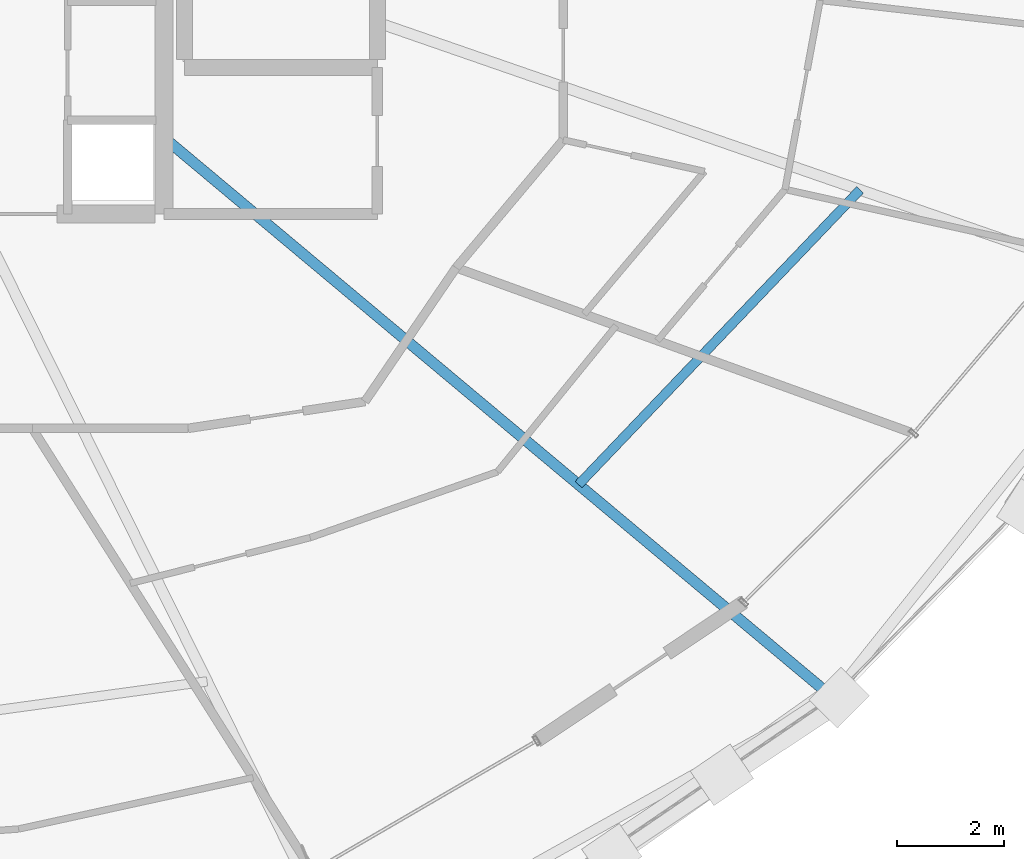
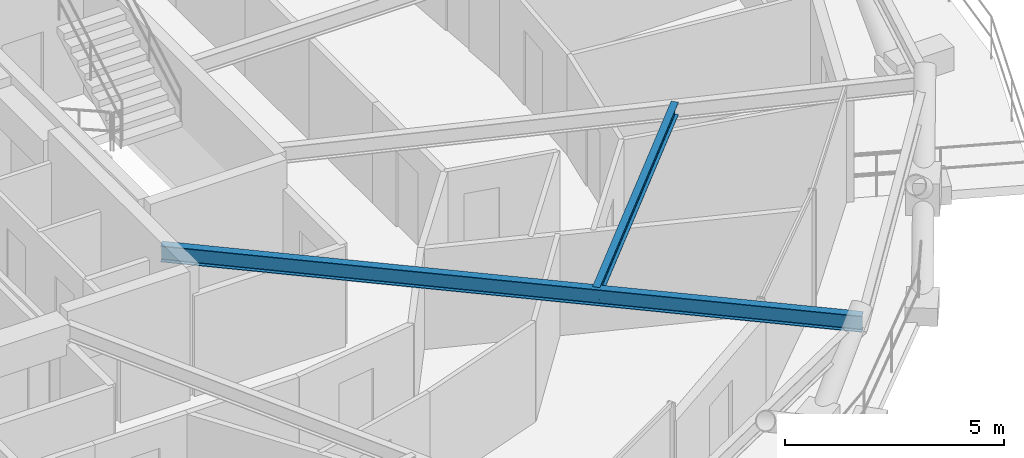
# One storey, part 6 of 16: 2 beams.
"""IFC4 building model written with IfcOpenShell, lengths in metres."""

import ifcopenshell
import ifcopenshell.guid

model = None  # the IFC model being written
_history = None  # IfcOwnerHistory: only IFC2X3 demands one
_inside = {}  # id of a spatial element -> (the spatial element, [elements in it])
_under = {}  # id of a project, library or spatial element -> (it, [spatial elements below it])
_declared = {}  # id of a project -> (the project, [libraries it declares])
_typed = {}  # id of a type object -> (the type object, [elements of that type])
_made_of = {}  # id of a material, layer set ... -> (it, [elements and type objects made of it])


def new_model(schema):
    """Start an empty IFC model of exactly this schema.

    Asked for "IFC4X3", IfcOpenShell would pick the latest addendum, in which some entities
    have other attributes; the version numbers below select the first issue.
    IFC2X3 requires an IfcOwnerHistory on every rooted entity: one is made here for all.
    """
    global model, _history
    if schema == "IFC4X3":
        model = ifcopenshell.file(schema_version=(4, 3, 0, 0))
    else:
        model = ifcopenshell.file(schema=schema)
    _inside.clear()
    _under.clear()
    _declared.clear()
    _typed.clear()
    _made_of.clear()
    _history = None
    if model.schema == "IFC2X3":
        org = make("IfcOrganization", Name="unknown")
        user = make(
            "IfcPersonAndOrganization",
            ThePerson=make("IfcPerson", FamilyName="unknown"),
            TheOrganization=org,
        )
        app = make(
            "IfcApplication",
            ApplicationDeveloper=org,
            Version="unknown",
            ApplicationFullName="unknown",
            ApplicationIdentifier="unknown",
        )
        _history = make(
            "IfcOwnerHistory",
            OwningUser=user,
            OwningApplication=app,
            ChangeAction="ADDED",
            CreationDate=0,
        )
    return model


def make(cls, **values):
    """One entity of the class cls with the attributes given. An attribute that is None is left unset."""
    return model.create_entity(
        cls, **{name: value for name, value in values.items() if value is not None}
    )


def rooted(cls, **values):
    """An entity with a GlobalId (a new one), such as an element, a storey or a relation."""
    return make(cls, GlobalId=ifcopenshell.guid.new(), OwnerHistory=_history, **values)


def si_unit(unit_type, name, prefix=None):
    """IfcSIUnit, for example si_unit("LENGTHUNIT", "METRE", prefix="MILLI")."""
    return make("IfcSIUnit", UnitType=unit_type, Prefix=prefix, Name=name)


def assignment(units):
    """IfcUnitAssignment: the units of a project."""
    return None if units is None else make("IfcUnitAssignment", Units=units)


def point(xyz):
    """IfcCartesianPoint."""
    return None if xyz is None else make("IfcCartesianPoint", Coordinates=xyz)


def direction(xyz):
    """IfcDirection."""
    return None if xyz is None else make("IfcDirection", DirectionRatios=xyz)


def frame(location, z_axis=None, x_axis=None):
    """IfcAxis2Placement3D, a coordinate frame: its origin and axes. An axis left out is left unset."""
    return make(
        "IfcAxis2Placement3D",
        Location=point(location),
        Axis=direction(z_axis),
        RefDirection=direction(x_axis),
    )


def frame_2d(location, x_axis=None):
    """IfcAxis2Placement2D, a coordinate frame in the plane: its origin and x axis."""
    return make(
        "IfcAxis2Placement2D", Location=point(location), RefDirection=direction(x_axis)
    )


def origin():
    """The frame at (0, 0, 0) with its axes left unset."""
    return frame((0.0, 0.0, 0.0))


def origin_2d():
    """The frame at (0, 0) in the plane with its x axis left unset."""
    return frame_2d((0.0, 0.0))


def place(relative_to, where):
    """IfcLocalPlacement: puts the frame where relative to a parent placement (None: the world)."""
    return make(
        "IfcLocalPlacement", PlacementRelTo=relative_to, RelativePlacement=where
    )


def context(
    kind, dimensions, precision=None, world=None, true_north=None, identifier=None
):
    """IfcGeometricRepresentationContext, for example the 3D "Model" context."""
    return make(
        "IfcGeometricRepresentationContext",
        ContextIdentifier=identifier,
        ContextType=kind,
        CoordinateSpaceDimension=dimensions,
        Precision=precision,
        WorldCoordinateSystem=world,
        TrueNorth=true_north,
    )


def subcontext(parent, identifier, kind, view, scale=None):
    """IfcGeometricRepresentationSubContext, for example "Body" below "Model"."""
    return make(
        "IfcGeometricRepresentationSubContext",
        ContextIdentifier=identifier,
        ContextType=kind,
        ParentContext=parent,
        TargetScale=scale,
        TargetView=view,
    )


def project(units=None, contexts=None):
    """IfcProject with its units and contexts."""
    return rooted(
        "IfcProject",
        Name="project",
        RepresentationContexts=contexts,
        UnitsInContext=assignment(units),
    )


def spatial(cls, under=None, at=None, **own):
    """A site, building, storey or space (cls), placed at a placement, below another one or the project."""
    s = rooted(cls, ObjectPlacement=at, **own)
    if under is not None:
        _under.setdefault(under.id(), (under, []))[1].append(s)
    return s


def profile(cls, at=None, kind="AREA", **sizes):
    """A parametric profile (cls). Its sizes go by their IFC names, for example OverallWidth=200.0."""
    return make(cls, ProfileType=kind, Position=at, **sizes)


def i_section(**sizes):
    """IfcIShapeProfileDef."""
    return profile("IfcIShapeProfileDef", **sizes)


def extrude(swept, where, along, depth):
    """IfcExtrudedAreaSolid: the profile swept, set in the frame where, extruded along a direction by depth."""
    return make(
        "IfcExtrudedAreaSolid",
        SweptArea=swept,
        Position=where,
        ExtrudedDirection=direction(along),
        Depth=depth,
    )


def shape(context_of_items, identifier, shape_type, items):
    """IfcShapeRepresentation: the items that make up one representation, for example the "Body"."""
    return make(
        "IfcShapeRepresentation",
        ContextOfItems=context_of_items,
        RepresentationIdentifier=identifier,
        RepresentationType=shape_type,
        Items=items,
    )


def material(Name=None, Category=None):
    """IfcMaterial."""
    return make("IfcMaterial", Name=Name, Category=Category)


def material_profile(
    of_material, cross_section, Name=None, Category=None, Priority=None
):
    """IfcMaterialProfile: a cross section and its material."""
    return make(
        "IfcMaterialProfile",
        Name=Name,
        Material=of_material,
        Profile=cross_section,
        Priority=Priority,
        Category=Category,
    )


def profile_set(profiles, Name=None, composite=None):
    """IfcMaterialProfileSet."""
    return make(
        "IfcMaterialProfileSet",
        Name=Name,
        MaterialProfiles=profiles,
        CompositeProfile=composite,
    )


def made_of(thing, what):
    """Note that an element or type object is made of a material, layer set ...; save() writes the relation."""
    if what is not None:
        _made_of.setdefault(what.id(), (what, []))[1].append(thing)
    return thing


def type_object(cls, material=None, **own):
    """A type object (cls), such as IfcWallType, which elements share."""
    return made_of(rooted(cls, **own), material)


def element(
    cls,
    number,
    at=None,
    inside=None,
    cuts=None,
    type_object=None,
    material=None,
    context=None,
    identifier="Body",
    shape_type=None,
    held_by="IfcProductDefinitionShape",
    body=None,
    shapes=None,
    **own,
):
    """One element of the class cls, such as IfcWall. Its Tag is "e" and its number.

    at: its placement. inside: the storey or other place that contains it. cuts: it is an
    opening in that element (IfcRelVoidsElement). A single representation is given by context,
    identifier, shape_type and body (its items); several are given by shapes. held_by: the class
    of the entity that holds the representations. save() writes the other relations.
    """
    e = rooted(cls, Tag="e%d" % number, ObjectPlacement=at, **own)
    if body is not None:
        shapes = [shape(context, identifier, shape_type, body)]
    if shapes is not None:
        e.Representation = make(held_by, Representations=shapes)
    if inside is not None:
        _inside.setdefault(inside.id(), (inside, []))[1].append(e)
    if cuts is not None:
        rooted(
            "IfcRelVoidsElement", RelatingBuildingElement=cuts, RelatedOpeningElement=e
        )
    if type_object is not None:
        _typed.setdefault(type_object.id(), (type_object, []))[1].append(e)
    return made_of(e, material)


def aggregate(whole, parts):
    """IfcRelAggregates: a whole, such as a stair, and the parts it consists of."""
    return rooted("IfcRelAggregates", RelatingObject=whole, RelatedObjects=parts)


def save(model, path):
    """Write the relations noted so far, then the file.

    IfcRelAggregates (storeys below a building ...), IfcRelContainedInSpatialStructure (elements
    in a storey), IfcRelDefinesByType, IfcRelAssociatesMaterial and IfcRelDeclares: one each for
    every whole, place, type object, material and project.
    """
    for whole, parts in _under.values():
        aggregate(whole, parts)
    for where, things in _inside.values():
        rooted(
            "IfcRelContainedInSpatialStructure",
            RelatedElements=things,
            RelatingStructure=where,
        )
    for kind, things in _typed.values():
        rooted("IfcRelDefinesByType", RelatedObjects=things, RelatingType=kind)
    for what, things in _made_of.values():
        rooted("IfcRelAssociatesMaterial", RelatedObjects=things, RelatingMaterial=what)
    for by, libraries in _declared.values():
        rooted("IfcRelDeclares", RelatingContext=by, RelatedDefinitions=libraries)
    model.write(path)


model = new_model("IFC4")

# Units and contexts
model_context = context("Model", 3, precision=1e-05, world=origin(), true_north=direction((0.0, 1.0)))
body_context = subcontext(model_context, "Body", "Model", "MODEL_VIEW")
ifc_project = project(units=[si_unit("LENGTHUNIT", "METRE"), si_unit("AREAUNIT", "SQUARE_METRE"), si_unit("VOLUMEUNIT", "CUBIC_METRE"), si_unit("PLANEANGLEUNIT", "RADIAN"), si_unit("MASSUNIT", "GRAM", prefix="KILO")], contexts=[model_context])

# Site, building, storey
site_placement = place(None, origin())
site = spatial("IfcSite", under=ifc_project, at=site_placement, CompositionType="ELEMENT")
building_placement = place(site_placement, origin())
building = spatial("IfcBuilding", under=site, at=building_placement, Name="Veldorina Hangang Commons", CompositionType="ELEMENT")
storey_placement = place(building_placement, frame((0.0, 0.0, 174.800048828125)))
storey = spatial("IfcBuildingStorey", under=building, at=storey_placement, Name="L45", CompositionType="ELEMENT", Elevation=174.800048828125)

# Beams
ifc_material = material(Name="Steel SM355-TMC", Category="steel")
ifc_material_profile_1 = material_profile(ifc_material, i_section(OverallWidth=0.199951171875, OverallDepth=0.449951171875, WebThickness=0.009033203125, FlangeThickness=0.013916015625, FilletRadius=0.01611328125, at=origin_2d()), Name="H-450x200x9x14")
ifc_profile_set_1 = profile_set([ifc_material_profile_1], Name="Steel SM355-TMC")
beam_type_1 = type_object("IfcBeamType", Name="BM-FG450", PredefinedType="BEAM", material=ifc_profile_set_1)
beam_1_placement = place(storey_placement, frame((39.199951171875, 17.97412109375, 3.125), z_axis=(0.766864155204, -0.641809447939, 0.0), x_axis=(0.641809447939, 0.766864155204, 0.0)))
element("IfcBeam", 1, at=beam_1_placement, inside=storey, type_object=beam_type_1, Name="L45 radial floor girder 15", PredefinedType="BEAM", context=body_context, shape_type="SweptSolid", body=[
    extrude(i_section(OverallWidth=0.199951171875, OverallDepth=0.449951171875, WebThickness=0.009033203125, FlangeThickness=0.013916015625, FilletRadius=0.01611328125, at=origin_2d()), origin(), (0.0, 0.0, 1.0), 16.270263671875),
])
ifc_material_profile_2 = material_profile(ifc_material, i_section(OverallWidth=0.175048828125, OverallDepth=0.35009765625, WebThickness=0.007080078125, FlangeThickness=0.010986328125, FilletRadius=0.012939453125, at=origin_2d()), Name="H-350x175x7x11")
ifc_profile_set_2 = profile_set([ifc_material_profile_2], Name="Steel SM355-TMC")
beam_type_2 = type_object("IfcBeamType", Name="BM-JST350", PredefinedType="JOIST", material=ifc_profile_set_2)
beam_2_placement = place(storey_placement, frame((46.935791015625, 11.5, 3.175048828125), z_axis=(0.690530710858, 0.723303074349, 0.0), x_axis=(-0.723303074349, 0.690530710858, 0.0)))
element("IfcBeam", 2, at=beam_2_placement, inside=storey, type_object=beam_type_2, Name="L45 secondary floor joist 15", PredefinedType="JOIST", context=body_context, shape_type="SweptSolid", body=[
    extrude(i_section(OverallWidth=0.175048828125, OverallDepth=0.35009765625, WebThickness=0.007080078125, FlangeThickness=0.010986328125, FilletRadius=0.012939453125, at=origin_2d()), origin(), (0.0, 0.0, 1.0), 7.60595703125),
])

save(model, "model.ifc")
